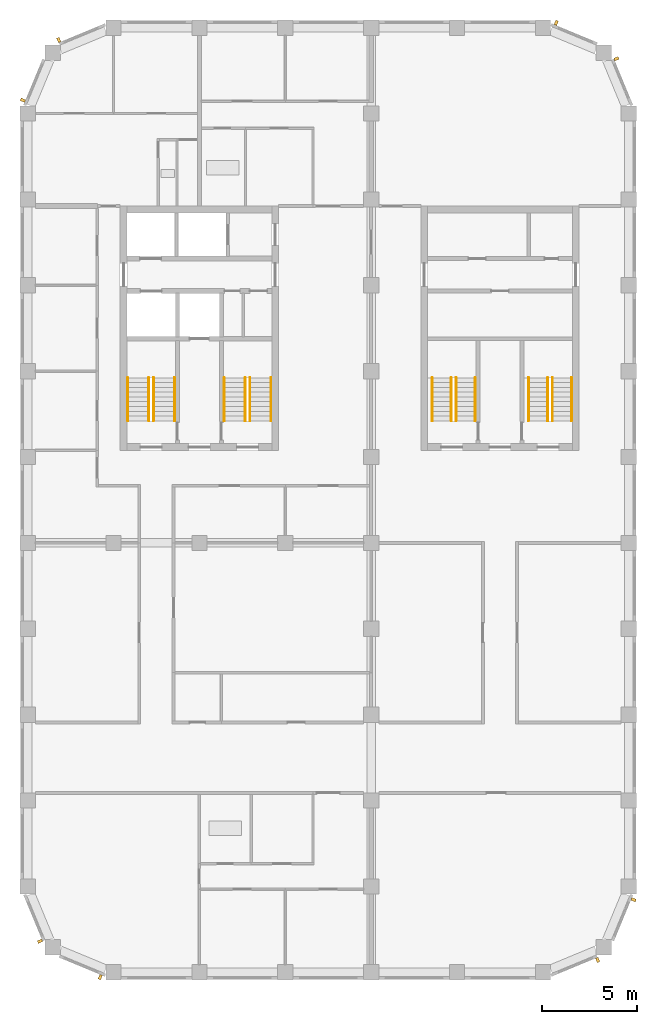
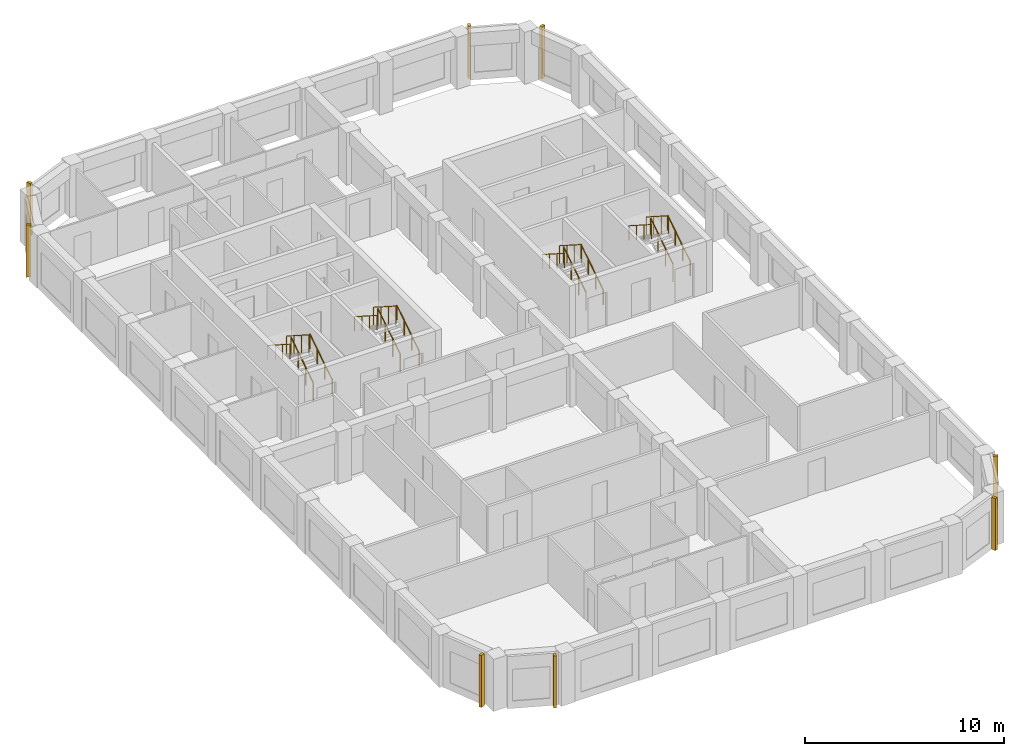
# One storey, part 8 of 9: 16 railings, 8 shading devices.
"""IFC4 building model written with IfcOpenShell, lengths in metres."""

from ifc_helpers import new_model, si_unit, direction, frame, origin, origin_2d, place, context, subcontext, project, spatial, rectangle, circle, extrude, material, type_object, element, save


model = new_model("IFC4")

# Units and contexts
model_context = context("Model", 3, precision=1e-05, world=origin(), true_north=direction((0.0, 1.0)))
body_context = subcontext(model_context, "Body", "Model", "MODEL_VIEW")
ifc_project = project(units=[si_unit("LENGTHUNIT", "METRE"), si_unit("AREAUNIT", "SQUARE_METRE"), si_unit("VOLUMEUNIT", "CUBIC_METRE"), si_unit("PLANEANGLEUNIT", "RADIAN"), si_unit("MASSUNIT", "GRAM", prefix="KILO")], contexts=[model_context])

# Site, building, storey
site_placement = place(None, origin())
site = spatial("IfcSite", under=ifc_project, at=site_placement, CompositionType="ELEMENT")
building_placement = place(site_placement, origin())
building = spatial("IfcBuilding", under=site, at=building_placement, Name="Girih Gate Residences", CompositionType="ELEMENT")
storey_placement = place(building_placement, frame((0.0, 0.0, 219.695068359375)))
storey = spatial("IfcBuildingStorey", under=building, at=storey_placement, Name="L61", CompositionType="ELEMENT", Elevation=219.695068359375)

# Shading devices
ifc_material_1 = material(Name="Precast concrete C50/60", Category="concrete")
shading_device_type = type_object("IfcShadingDeviceType", Name="Corner rib 150x250", PredefinedType="USERDEFINED", material=ifc_material_1)
for number, where, z_axis, x_axis, name in (
    (1, (29.867919921875, 0.646728515625, 0.0), (0.0, 0.0, 1.0), (0.923879532511, 0.382683432365, 0.0), "Corner rib SE0270_0000.0"),
    (2, (31.752685546875, 3.80322265625, 0.0), (0.0, 0.0, 1.0), (0.382683432365, 0.923879532511, 0.0), "Corner rib SE0302_0013.0"),
    (3, (30.853271484375, 47.867919921875, 0.0), (0.0, 0.0, 1.0), (-0.382683432365, 0.923879532511, 0.0), "Corner rib NE0315_0450.0"),
    (4, (27.69677734375, 49.752685546875, 0.0), (0.0, 0.0, 1.0), (-0.923879532511, 0.382683432365, 0.0), "Corner rib NE0302_0482.0"),
    (5, (1.632080078125, 48.853271484375, 0.0), (0.0, 0.0, 1.0), (-0.923879532511, -0.382683432365, 0.0), "Corner rib NW0045_0495.0"),
    (6, (-0.252685546875, 45.69677734375, 0.0), (0.0, 0.0, 1.0), (-0.382683432365, -0.923879532511, 0.0), "Corner rib NW0013_0482.0"),
    (7, (0.646728515625, 1.632080078125, 0.0), (0.0, 0.0, 1.0), (0.382683432365, -0.923879532511, 0.0), "Corner rib SW0000_0045.0"),
    (8, (3.80322265625, -0.252685546875, 0.0), (0.0, 0.0, 1.0), (0.923879532511, -0.382683432365, 0.0), "Corner rib SW0013_0013.0"),
):
    element("IfcShadingDevice", number, at=place(storey_placement, frame(where, z_axis=z_axis, x_axis=x_axis)), inside=storey, type_object=shading_device_type, Name=name, ObjectType="FIN", PredefinedType="USERDEFINED", context=body_context, shape_type="SweptSolid", body=[
        extrude(rectangle(XDim=0.14990234375, YDim=0.25, at=origin_2d()), origin(), (0.0, 0.0, 1.0), 3.199951171875),
    ])

# Railings
ifc_material_2 = material(Name="Stainless steel", Category="steel")
railing_type_1 = type_object("IfcRailingType", Name="Stair guard 1100", PredefinedType="GUARDRAIL", material=ifc_material_2)
railing_1_placement = place(storey_placement, frame((6.60009765625, 28.89990234375, 0.159912109375)))
element("IfcRailing", 9, at=railing_1_placement, inside=storey, type_object=railing_type_1, Name="L61 ST-W1 stair guard 1", PredefinedType="GUARDRAIL", context=body_context, shape_type="SweptSolid", body=[
    extrude(circle(Radius=0.02392578125, at=origin_2d()), frame((0.0, 0.0, 1.076171875), z_axis=(0.0, 0.842281359387, 0.539038135598), x_axis=(-1.0, 0.0, 0.0)), (0.0, 0.0, 1.0), 2.67138671875),
    extrude(circle(Radius=0.02099609375, at=origin_2d()), origin(), (0.0, 0.0, 1.0), 1.052001953125),
    extrude(circle(Radius=0.02099609375, at=origin_2d()), frame((0.0, 0.75, 0.47998046875)), (0.0, 0.0, 1.0), 1.052001953125),
    extrude(circle(Radius=0.02099609375, at=origin_2d()), frame((0.0, 1.5, 0.9599609375)), (0.0, 0.0, 1.0), 1.052001953125),
    extrude(circle(Radius=0.02099609375, at=origin_2d()), frame((0.0, 2.25, 1.43994140625)), (0.0, 0.0, 1.0), 1.052001953125),
])
railing_2_placement = place(storey_placement, frame((6.35009765625, 31.14990234375, 1.760009765625)))
element("IfcRailing", 10, at=railing_2_placement, inside=storey, type_object=railing_type_1, Name="L61 ST-W1 stair guard 2", PredefinedType="GUARDRAIL", context=body_context, shape_type="SweptSolid", body=[
    extrude(circle(Radius=0.02392578125, at=origin_2d()), frame((0.0, 0.0, 1.076171875), z_axis=(0.0, -0.842281359387, 0.539038135598), x_axis=(1.0, 0.0, 0.0)), (0.0, 0.0, 1.0), 2.67138671875),
    extrude(circle(Radius=0.02099609375, at=origin_2d()), origin(), (0.0, 0.0, 1.0), 1.052001953125),
    extrude(circle(Radius=0.02099609375, at=origin_2d()), frame((0.0, -0.75, 0.47998046875)), (0.0, 0.0, 1.0), 1.052001953125),
    extrude(circle(Radius=0.02099609375, at=origin_2d()), frame((0.0, -1.5, 0.9599609375)), (0.0, 0.0, 1.0), 1.052001953125),
    extrude(circle(Radius=0.02099609375, at=origin_2d()), frame((0.0, -2.25, 1.43994140625)), (0.0, 0.0, 1.0), 1.052001953125),
])
railing_3_placement = place(storey_placement, frame((11.64990234375, 28.89990234375, 0.159912109375)))
element("IfcRailing", 11, at=railing_3_placement, inside=storey, type_object=railing_type_1, Name="L61 ST-W2 stair guard 1", PredefinedType="GUARDRAIL", context=body_context, shape_type="SweptSolid", body=[
    extrude(circle(Radius=0.02392578125, at=origin_2d()), frame((0.0, 0.0, 1.076171875), z_axis=(0.0, 0.842281359387, 0.539038135598), x_axis=(-1.0, 0.0, 0.0)), (0.0, 0.0, 1.0), 2.67138671875),
    extrude(circle(Radius=0.02099609375, at=origin_2d()), origin(), (0.0, 0.0, 1.0), 1.052001953125),
    extrude(circle(Radius=0.02099609375, at=origin_2d()), frame((0.0, 0.75, 0.47998046875)), (0.0, 0.0, 1.0), 1.052001953125),
    extrude(circle(Radius=0.02099609375, at=origin_2d()), frame((0.0, 1.5, 0.9599609375)), (0.0, 0.0, 1.0), 1.052001953125),
    extrude(circle(Radius=0.02099609375, at=origin_2d()), frame((0.0, 2.25, 1.43994140625)), (0.0, 0.0, 1.0), 1.052001953125),
])
railing_4_placement = place(storey_placement, frame((11.39990234375, 31.14990234375, 1.760009765625)))
element("IfcRailing", 12, at=railing_4_placement, inside=storey, type_object=railing_type_1, Name="L61 ST-W2 stair guard 2", PredefinedType="GUARDRAIL", context=body_context, shape_type="SweptSolid", body=[
    extrude(circle(Radius=0.02392578125, at=origin_2d()), frame((0.0, 0.0, 1.076171875), z_axis=(0.0, -0.842281359387, 0.539038135598), x_axis=(1.0, 0.0, 0.0)), (0.0, 0.0, 1.0), 2.67138671875),
    extrude(circle(Radius=0.02099609375, at=origin_2d()), origin(), (0.0, 0.0, 1.0), 1.052001953125),
    extrude(circle(Radius=0.02099609375, at=origin_2d()), frame((0.0, -0.75, 0.47998046875)), (0.0, 0.0, 1.0), 1.052001953125),
    extrude(circle(Radius=0.02099609375, at=origin_2d()), frame((0.0, -1.5, 0.9599609375)), (0.0, 0.0, 1.0), 1.052001953125),
    extrude(circle(Radius=0.02099609375, at=origin_2d()), frame((0.0, -2.25, 1.43994140625)), (0.0, 0.0, 1.0), 1.052001953125),
])
railing_5_placement = place(storey_placement, frame((22.449951171875, 28.89990234375, 0.159912109375)))
element("IfcRailing", 13, at=railing_5_placement, inside=storey, type_object=railing_type_1, Name="L61 ST-C1 stair guard 1", PredefinedType="GUARDRAIL", context=body_context, shape_type="SweptSolid", body=[
    extrude(circle(Radius=0.02392578125, at=origin_2d()), frame((0.0, 0.0, 1.076171875), z_axis=(0.0, 0.842281359387, 0.539038135598), x_axis=(-1.0, 0.0, 0.0)), (0.0, 0.0, 1.0), 2.67138671875),
    extrude(circle(Radius=0.02099609375, at=origin_2d()), origin(), (0.0, 0.0, 1.0), 1.052001953125),
    extrude(circle(Radius=0.02099609375, at=origin_2d()), frame((0.0, 0.75, 0.47998046875)), (0.0, 0.0, 1.0), 1.052001953125),
    extrude(circle(Radius=0.02099609375, at=origin_2d()), frame((0.0, 1.5, 0.9599609375)), (0.0, 0.0, 1.0), 1.052001953125),
    extrude(circle(Radius=0.02099609375, at=origin_2d()), frame((0.0, 2.25, 1.43994140625)), (0.0, 0.0, 1.0), 1.052001953125),
])
railing_6_placement = place(storey_placement, frame((22.199951171875, 31.14990234375, 1.760009765625)))
element("IfcRailing", 14, at=railing_6_placement, inside=storey, type_object=railing_type_1, Name="L61 ST-C1 stair guard 2", PredefinedType="GUARDRAIL", context=body_context, shape_type="SweptSolid", body=[
    extrude(circle(Radius=0.02392578125, at=origin_2d()), frame((0.0, 0.0, 1.076171875), z_axis=(0.0, -0.842281359387, 0.539038135598), x_axis=(1.0, 0.0, 0.0)), (0.0, 0.0, 1.0), 2.67138671875),
    extrude(circle(Radius=0.02099609375, at=origin_2d()), origin(), (0.0, 0.0, 1.0), 1.052001953125),
    extrude(circle(Radius=0.02099609375, at=origin_2d()), frame((0.0, -0.75, 0.47998046875)), (0.0, 0.0, 1.0), 1.052001953125),
    extrude(circle(Radius=0.02099609375, at=origin_2d()), frame((0.0, -1.5, 0.9599609375)), (0.0, 0.0, 1.0), 1.052001953125),
    extrude(circle(Radius=0.02099609375, at=origin_2d()), frame((0.0, -2.25, 1.43994140625)), (0.0, 0.0, 1.0), 1.052001953125),
])
railing_7_placement = place(storey_placement, frame((27.5, 28.89990234375, 0.159912109375)))
element("IfcRailing", 15, at=railing_7_placement, inside=storey, type_object=railing_type_1, Name="L61 ST-C2 stair guard 1", PredefinedType="GUARDRAIL", context=body_context, shape_type="SweptSolid", body=[
    extrude(circle(Radius=0.02392578125, at=origin_2d()), frame((0.0, 0.0, 1.076171875), z_axis=(0.0, 0.842281359387, 0.539038135598), x_axis=(-1.0, 0.0, 0.0)), (0.0, 0.0, 1.0), 2.67138671875),
    extrude(circle(Radius=0.02099609375, at=origin_2d()), origin(), (0.0, 0.0, 1.0), 1.052001953125),
    extrude(circle(Radius=0.02099609375, at=origin_2d()), frame((0.0, 0.75, 0.47998046875)), (0.0, 0.0, 1.0), 1.052001953125),
    extrude(circle(Radius=0.02099609375, at=origin_2d()), frame((0.0, 1.5, 0.9599609375)), (0.0, 0.0, 1.0), 1.052001953125),
    extrude(circle(Radius=0.02099609375, at=origin_2d()), frame((0.0, 2.25, 1.43994140625)), (0.0, 0.0, 1.0), 1.052001953125),
])
railing_8_placement = place(storey_placement, frame((27.25, 31.14990234375, 1.760009765625)))
element("IfcRailing", 16, at=railing_8_placement, inside=storey, type_object=railing_type_1, Name="L61 ST-C2 stair guard 2", PredefinedType="GUARDRAIL", context=body_context, shape_type="SweptSolid", body=[
    extrude(circle(Radius=0.02392578125, at=origin_2d()), frame((0.0, 0.0, 1.076171875), z_axis=(0.0, -0.842281359387, 0.539038135598), x_axis=(1.0, 0.0, 0.0)), (0.0, 0.0, 1.0), 2.67138671875),
    extrude(circle(Radius=0.02099609375, at=origin_2d()), origin(), (0.0, 0.0, 1.0), 1.052001953125),
    extrude(circle(Radius=0.02099609375, at=origin_2d()), frame((0.0, -0.75, 0.47998046875)), (0.0, 0.0, 1.0), 1.052001953125),
    extrude(circle(Radius=0.02099609375, at=origin_2d()), frame((0.0, -1.5, 0.9599609375)), (0.0, 0.0, 1.0), 1.052001953125),
    extrude(circle(Radius=0.02099609375, at=origin_2d()), frame((0.0, -2.25, 1.43994140625)), (0.0, 0.0, 1.0), 1.052001953125),
])
railing_type_2 = type_object("IfcRailingType", Name="Stair handrail 900", PredefinedType="HANDRAIL", material=ifc_material_2)
railing_9_placement = place(storey_placement, frame((7.699951171875, 28.89990234375, 0.159912109375)))
element("IfcRailing", 17, at=railing_9_placement, inside=storey, type_object=railing_type_2, Name="L61 ST-W1 stair handrail 1", PredefinedType="HANDRAIL", context=body_context, shape_type="SweptSolid", body=[
    extrude(circle(Radius=0.02392578125, at=origin_2d()), frame((0.0, 0.0, 0.8857421875), z_axis=(0.0, 0.842281359387, 0.539038135598), x_axis=(-1.0, 0.0, 0.0)), (0.0, 0.0, 1.0), 2.67138671875),
    extrude(circle(Radius=0.02099609375, at=origin_2d()), origin(), (0.0, 0.0, 1.0), 0.86181640625),
    extrude(circle(Radius=0.02099609375, at=origin_2d()), frame((0.0, 0.75, 0.47998046875)), (0.0, 0.0, 1.0), 0.86181640625),
    extrude(circle(Radius=0.02099609375, at=origin_2d()), frame((0.0, 1.5, 0.9599609375)), (0.0, 0.0, 1.0), 0.86181640625),
    extrude(circle(Radius=0.02099609375, at=origin_2d()), frame((0.0, 2.25, 1.43994140625)), (0.0, 0.0, 1.0), 0.86181640625),
])
railing_10_placement = place(storey_placement, frame((5.25, 31.14990234375, 1.760009765625)))
element("IfcRailing", 18, at=railing_10_placement, inside=storey, type_object=railing_type_2, Name="L61 ST-W1 stair handrail 2", PredefinedType="HANDRAIL", context=body_context, shape_type="SweptSolid", body=[
    extrude(circle(Radius=0.02392578125, at=origin_2d()), frame((0.0, 0.0, 0.8857421875), z_axis=(0.0, -0.842281359387, 0.539038135598), x_axis=(1.0, 0.0, 0.0)), (0.0, 0.0, 1.0), 2.67138671875),
    extrude(circle(Radius=0.02099609375, at=origin_2d()), origin(), (0.0, 0.0, 1.0), 0.86181640625),
    extrude(circle(Radius=0.02099609375, at=origin_2d()), frame((0.0, -0.75, 0.47998046875)), (0.0, 0.0, 1.0), 0.86181640625),
    extrude(circle(Radius=0.02099609375, at=origin_2d()), frame((0.0, -1.5, 0.9599609375)), (0.0, 0.0, 1.0), 0.86181640625),
    extrude(circle(Radius=0.02099609375, at=origin_2d()), frame((0.0, -2.25, 1.43994140625)), (0.0, 0.0, 1.0), 0.86181640625),
])
railing_11_placement = place(storey_placement, frame((12.75, 28.89990234375, 0.159912109375)))
element("IfcRailing", 19, at=railing_11_placement, inside=storey, type_object=railing_type_2, Name="L61 ST-W2 stair handrail 1", PredefinedType="HANDRAIL", context=body_context, shape_type="SweptSolid", body=[
    extrude(circle(Radius=0.02392578125, at=origin_2d()), frame((0.0, 0.0, 0.8857421875), z_axis=(0.0, 0.842281359387, 0.539038135598), x_axis=(-1.0, 0.0, 0.0)), (0.0, 0.0, 1.0), 2.67138671875),
    extrude(circle(Radius=0.02099609375, at=origin_2d()), origin(), (0.0, 0.0, 1.0), 0.86181640625),
    extrude(circle(Radius=0.02099609375, at=origin_2d()), frame((0.0, 0.75, 0.47998046875)), (0.0, 0.0, 1.0), 0.86181640625),
    extrude(circle(Radius=0.02099609375, at=origin_2d()), frame((0.0, 1.5, 0.9599609375)), (0.0, 0.0, 1.0), 0.86181640625),
    extrude(circle(Radius=0.02099609375, at=origin_2d()), frame((0.0, 2.25, 1.43994140625)), (0.0, 0.0, 1.0), 0.86181640625),
])
railing_12_placement = place(storey_placement, frame((10.300048828125, 31.14990234375, 1.760009765625)))
element("IfcRailing", 20, at=railing_12_placement, inside=storey, type_object=railing_type_2, Name="L61 ST-W2 stair handrail 2", PredefinedType="HANDRAIL", context=body_context, shape_type="SweptSolid", body=[
    extrude(circle(Radius=0.02392578125, at=origin_2d()), frame((0.0, 0.0, 0.8857421875), z_axis=(0.0, -0.842281359387, 0.539038135598), x_axis=(1.0, 0.0, 0.0)), (0.0, 0.0, 1.0), 2.67138671875),
    extrude(circle(Radius=0.02099609375, at=origin_2d()), origin(), (0.0, 0.0, 1.0), 0.86181640625),
    extrude(circle(Radius=0.02099609375, at=origin_2d()), frame((0.0, -0.75, 0.47998046875)), (0.0, 0.0, 1.0), 0.86181640625),
    extrude(circle(Radius=0.02099609375, at=origin_2d()), frame((0.0, -1.5, 0.9599609375)), (0.0, 0.0, 1.0), 0.86181640625),
    extrude(circle(Radius=0.02099609375, at=origin_2d()), frame((0.0, -2.25, 1.43994140625)), (0.0, 0.0, 1.0), 0.86181640625),
])
railing_13_placement = place(storey_placement, frame((23.449951171875, 28.89990234375, 0.159912109375)))
element("IfcRailing", 21, at=railing_13_placement, inside=storey, type_object=railing_type_2, Name="L61 ST-C1 stair handrail 1", PredefinedType="HANDRAIL", context=body_context, shape_type="SweptSolid", body=[
    extrude(circle(Radius=0.02392578125, at=origin_2d()), frame((0.0, 0.0, 0.8857421875), z_axis=(0.0, 0.842281359387, 0.539038135598), x_axis=(-1.0, 0.0, 0.0)), (0.0, 0.0, 1.0), 2.67138671875),
    extrude(circle(Radius=0.02099609375, at=origin_2d()), origin(), (0.0, 0.0, 1.0), 0.86181640625),
    extrude(circle(Radius=0.02099609375, at=origin_2d()), frame((0.0, 0.75, 0.47998046875)), (0.0, 0.0, 1.0), 0.86181640625),
    extrude(circle(Radius=0.02099609375, at=origin_2d()), frame((0.0, 1.5, 0.9599609375)), (0.0, 0.0, 1.0), 0.86181640625),
    extrude(circle(Radius=0.02099609375, at=origin_2d()), frame((0.0, 2.25, 1.43994140625)), (0.0, 0.0, 1.0), 0.86181640625),
])
railing_14_placement = place(storey_placement, frame((21.199951171875, 31.14990234375, 1.760009765625)))
element("IfcRailing", 22, at=railing_14_placement, inside=storey, type_object=railing_type_2, Name="L61 ST-C1 stair handrail 2", PredefinedType="HANDRAIL", context=body_context, shape_type="SweptSolid", body=[
    extrude(circle(Radius=0.02392578125, at=origin_2d()), frame((0.0, 0.0, 0.8857421875), z_axis=(0.0, -0.842281359387, 0.539038135598), x_axis=(1.0, 0.0, 0.0)), (0.0, 0.0, 1.0), 2.67138671875),
    extrude(circle(Radius=0.02099609375, at=origin_2d()), origin(), (0.0, 0.0, 1.0), 0.86181640625),
    extrude(circle(Radius=0.02099609375, at=origin_2d()), frame((0.0, -0.75, 0.47998046875)), (0.0, 0.0, 1.0), 0.86181640625),
    extrude(circle(Radius=0.02099609375, at=origin_2d()), frame((0.0, -1.5, 0.9599609375)), (0.0, 0.0, 1.0), 0.86181640625),
    extrude(circle(Radius=0.02099609375, at=origin_2d()), frame((0.0, -2.25, 1.43994140625)), (0.0, 0.0, 1.0), 0.86181640625),
])
railing_15_placement = place(storey_placement, frame((28.5, 28.89990234375, 0.159912109375)))
element("IfcRailing", 23, at=railing_15_placement, inside=storey, type_object=railing_type_2, Name="L61 ST-C2 stair handrail 1", PredefinedType="HANDRAIL", context=body_context, shape_type="SweptSolid", body=[
    extrude(circle(Radius=0.02392578125, at=origin_2d()), frame((0.0, 0.0, 0.8857421875), z_axis=(0.0, 0.842281359387, 0.539038135598), x_axis=(-1.0, 0.0, 0.0)), (0.0, 0.0, 1.0), 2.67138671875),
    extrude(circle(Radius=0.02099609375, at=origin_2d()), origin(), (0.0, 0.0, 1.0), 0.86181640625),
    extrude(circle(Radius=0.02099609375, at=origin_2d()), frame((0.0, 0.75, 0.47998046875)), (0.0, 0.0, 1.0), 0.86181640625),
    extrude(circle(Radius=0.02099609375, at=origin_2d()), frame((0.0, 1.5, 0.9599609375)), (0.0, 0.0, 1.0), 0.86181640625),
    extrude(circle(Radius=0.02099609375, at=origin_2d()), frame((0.0, 2.25, 1.43994140625)), (0.0, 0.0, 1.0), 0.86181640625),
])
railing_16_placement = place(storey_placement, frame((26.25, 31.14990234375, 1.760009765625)))
element("IfcRailing", 24, at=railing_16_placement, inside=storey, type_object=railing_type_2, Name="L61 ST-C2 stair handrail 2", PredefinedType="HANDRAIL", context=body_context, shape_type="SweptSolid", body=[
    extrude(circle(Radius=0.02392578125, at=origin_2d()), frame((0.0, 0.0, 0.8857421875), z_axis=(0.0, -0.842281359387, 0.539038135598), x_axis=(1.0, 0.0, 0.0)), (0.0, 0.0, 1.0), 2.67138671875),
    extrude(circle(Radius=0.02099609375, at=origin_2d()), origin(), (0.0, 0.0, 1.0), 0.86181640625),
    extrude(circle(Radius=0.02099609375, at=origin_2d()), frame((0.0, -0.75, 0.47998046875)), (0.0, 0.0, 1.0), 0.86181640625),
    extrude(circle(Radius=0.02099609375, at=origin_2d()), frame((0.0, -1.5, 0.9599609375)), (0.0, 0.0, 1.0), 0.86181640625),
    extrude(circle(Radius=0.02099609375, at=origin_2d()), frame((0.0, -2.25, 1.43994140625)), (0.0, 0.0, 1.0), 0.86181640625),
])

save(model, "model.ifc")
